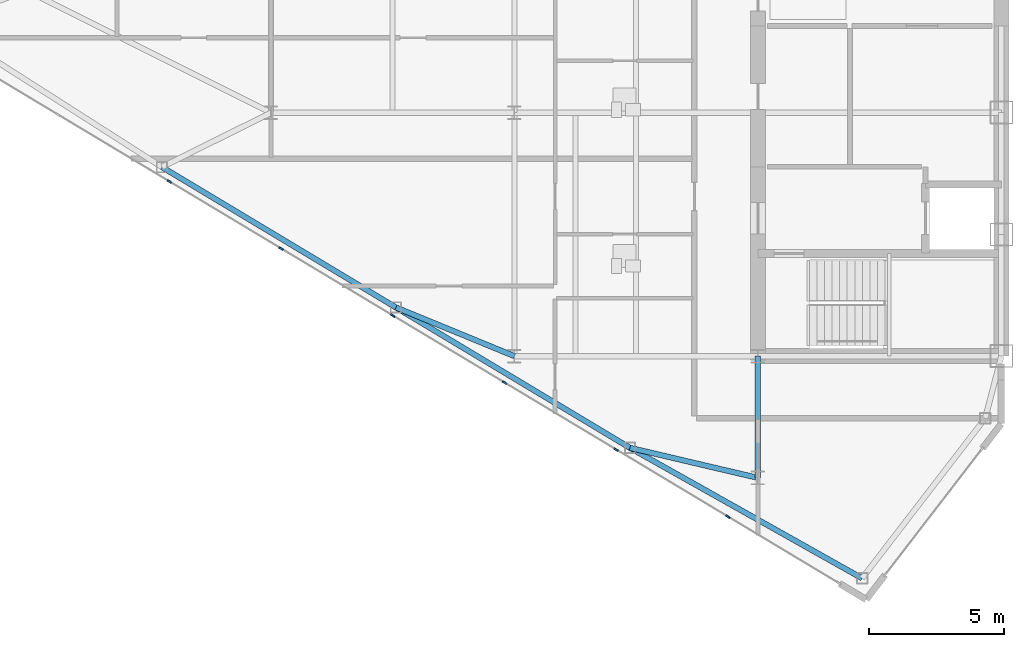
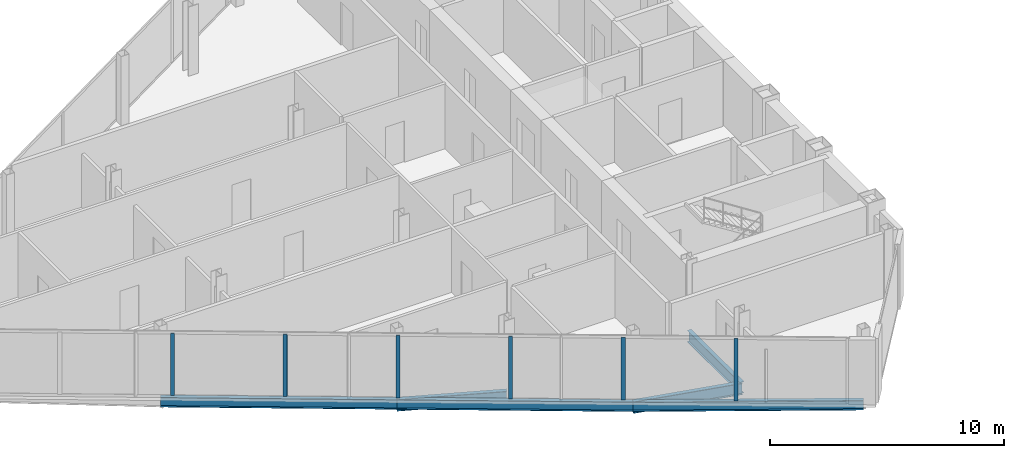
# One storey, part 5 of 26: 6 beams, 6 members, 1 element without a shape of its own.
"""IFC4 building model written with IfcOpenShell, lengths in metres."""

import ifcopenshell
import ifcopenshell.guid

model = None  # the IFC model being written
_history = None  # IfcOwnerHistory: only IFC2X3 demands one
_inside = {}  # id of a spatial element -> (the spatial element, [elements in it])
_under = {}  # id of a project, library or spatial element -> (it, [spatial elements below it])
_declared = {}  # id of a project -> (the project, [libraries it declares])
_typed = {}  # id of a type object -> (the type object, [elements of that type])
_made_of = {}  # id of a material, layer set ... -> (it, [elements and type objects made of it])


def new_model(schema):
    """Start an empty IFC model of exactly this schema.

    Asked for "IFC4X3", IfcOpenShell would pick the latest addendum, in which some entities
    have other attributes; the version numbers below select the first issue.
    IFC2X3 requires an IfcOwnerHistory on every rooted entity: one is made here for all.
    """
    global model, _history
    if schema == "IFC4X3":
        model = ifcopenshell.file(schema_version=(4, 3, 0, 0))
    else:
        model = ifcopenshell.file(schema=schema)
    _inside.clear()
    _under.clear()
    _declared.clear()
    _typed.clear()
    _made_of.clear()
    _history = None
    if model.schema == "IFC2X3":
        org = make("IfcOrganization", Name="unknown")
        user = make(
            "IfcPersonAndOrganization",
            ThePerson=make("IfcPerson", FamilyName="unknown"),
            TheOrganization=org,
        )
        app = make(
            "IfcApplication",
            ApplicationDeveloper=org,
            Version="unknown",
            ApplicationFullName="unknown",
            ApplicationIdentifier="unknown",
        )
        _history = make(
            "IfcOwnerHistory",
            OwningUser=user,
            OwningApplication=app,
            ChangeAction="ADDED",
            CreationDate=0,
        )
    return model


def make(cls, **values):
    """One entity of the class cls with the attributes given. An attribute that is None is left unset."""
    return model.create_entity(
        cls, **{name: value for name, value in values.items() if value is not None}
    )


def rooted(cls, **values):
    """An entity with a GlobalId (a new one), such as an element, a storey or a relation."""
    return make(cls, GlobalId=ifcopenshell.guid.new(), OwnerHistory=_history, **values)


def si_unit(unit_type, name, prefix=None):
    """IfcSIUnit, for example si_unit("LENGTHUNIT", "METRE", prefix="MILLI")."""
    return make("IfcSIUnit", UnitType=unit_type, Prefix=prefix, Name=name)


def assignment(units):
    """IfcUnitAssignment: the units of a project."""
    return None if units is None else make("IfcUnitAssignment", Units=units)


def point(xyz):
    """IfcCartesianPoint."""
    return None if xyz is None else make("IfcCartesianPoint", Coordinates=xyz)


def direction(xyz):
    """IfcDirection."""
    return None if xyz is None else make("IfcDirection", DirectionRatios=xyz)


def frame(location, z_axis=None, x_axis=None):
    """IfcAxis2Placement3D, a coordinate frame: its origin and axes. An axis left out is left unset."""
    return make(
        "IfcAxis2Placement3D",
        Location=point(location),
        Axis=direction(z_axis),
        RefDirection=direction(x_axis),
    )


def frame_2d(location, x_axis=None):
    """IfcAxis2Placement2D, a coordinate frame in the plane: its origin and x axis."""
    return make(
        "IfcAxis2Placement2D", Location=point(location), RefDirection=direction(x_axis)
    )


def origin():
    """The frame at (0, 0, 0) with its axes left unset."""
    return frame((0.0, 0.0, 0.0))


def origin_2d():
    """The frame at (0, 0) in the plane with its x axis left unset."""
    return frame_2d((0.0, 0.0))


def place(relative_to, where):
    """IfcLocalPlacement: puts the frame where relative to a parent placement (None: the world)."""
    return make(
        "IfcLocalPlacement", PlacementRelTo=relative_to, RelativePlacement=where
    )


def context(
    kind, dimensions, precision=None, world=None, true_north=None, identifier=None
):
    """IfcGeometricRepresentationContext, for example the 3D "Model" context."""
    return make(
        "IfcGeometricRepresentationContext",
        ContextIdentifier=identifier,
        ContextType=kind,
        CoordinateSpaceDimension=dimensions,
        Precision=precision,
        WorldCoordinateSystem=world,
        TrueNorth=true_north,
    )


def subcontext(parent, identifier, kind, view, scale=None):
    """IfcGeometricRepresentationSubContext, for example "Body" below "Model"."""
    return make(
        "IfcGeometricRepresentationSubContext",
        ContextIdentifier=identifier,
        ContextType=kind,
        ParentContext=parent,
        TargetScale=scale,
        TargetView=view,
    )


def project(units=None, contexts=None):
    """IfcProject with its units and contexts."""
    return rooted(
        "IfcProject",
        Name="project",
        RepresentationContexts=contexts,
        UnitsInContext=assignment(units),
    )


def spatial(cls, under=None, at=None, **own):
    """A site, building, storey or space (cls), placed at a placement, below another one or the project."""
    s = rooted(cls, ObjectPlacement=at, **own)
    if under is not None:
        _under.setdefault(under.id(), (under, []))[1].append(s)
    return s


def profile(cls, at=None, kind="AREA", **sizes):
    """A parametric profile (cls). Its sizes go by their IFC names, for example OverallWidth=200.0."""
    return make(cls, ProfileType=kind, Position=at, **sizes)


def rectangle(**sizes):
    """IfcRectangleProfileDef."""
    return profile("IfcRectangleProfileDef", **sizes)


def i_section(**sizes):
    """IfcIShapeProfileDef."""
    return profile("IfcIShapeProfileDef", **sizes)


def extrude(swept, where, along, depth):
    """IfcExtrudedAreaSolid: the profile swept, set in the frame where, extruded along a direction by depth."""
    return make(
        "IfcExtrudedAreaSolid",
        SweptArea=swept,
        Position=where,
        ExtrudedDirection=direction(along),
        Depth=depth,
    )


def shape(context_of_items, identifier, shape_type, items):
    """IfcShapeRepresentation: the items that make up one representation, for example the "Body"."""
    return make(
        "IfcShapeRepresentation",
        ContextOfItems=context_of_items,
        RepresentationIdentifier=identifier,
        RepresentationType=shape_type,
        Items=items,
    )


def source(mapping_origin, context_of_items, identifier, shape_type, items):
    """IfcRepresentationMap: a shape defined once, which mapped items show again and again."""
    return make(
        "IfcRepresentationMap",
        MappingOrigin=mapping_origin,
        MappedRepresentation=shape(context_of_items, identifier, shape_type, items),
    )


def transform(
    local_origin,
    x_axis=None,
    y_axis=None,
    z_axis=None,
    scale=None,
    scale2=None,
    scale3=None,
    uniform=True,
):
    """IfcCartesianTransformationOperator3D, or its non-uniform kind. x_axis, y_axis, z_axis: its Axis1, 2, 3."""
    if uniform:
        return make(
            "IfcCartesianTransformationOperator3D",
            Axis1=direction(x_axis),
            Axis2=direction(y_axis),
            LocalOrigin=point(local_origin),
            Scale=scale,
            Axis3=direction(z_axis),
        )
    return make(
        "IfcCartesianTransformationOperator3DnonUniform",
        Axis1=direction(x_axis),
        Axis2=direction(y_axis),
        LocalOrigin=point(local_origin),
        Scale=scale,
        Axis3=direction(z_axis),
        Scale2=scale2,
        Scale3=scale3,
    )


def mapped(mapping_source, mapping_target):
    """IfcMappedItem: shows the shape of a source again, moved by a transform."""
    return make(
        "IfcMappedItem", MappingSource=mapping_source, MappingTarget=mapping_target
    )


def material(Name=None, Category=None):
    """IfcMaterial."""
    return make("IfcMaterial", Name=Name, Category=Category)


def layer(
    of_material, thickness, ventilated=None, Name=None, Category=None, Priority=None
):
    """IfcMaterialLayer: one layer of a wall or slab, of a material (None: an air gap)."""
    return make(
        "IfcMaterialLayer",
        Material=of_material,
        LayerThickness=thickness,
        IsVentilated=ventilated,
        Name=Name,
        Category=Category,
        Priority=Priority,
    )


def layer_set(layers, Name=None):
    """IfcMaterialLayerSet."""
    return make("IfcMaterialLayerSet", MaterialLayers=layers, LayerSetName=Name)


def material_profile(
    of_material, cross_section, Name=None, Category=None, Priority=None
):
    """IfcMaterialProfile: a cross section and its material."""
    return make(
        "IfcMaterialProfile",
        Name=Name,
        Material=of_material,
        Profile=cross_section,
        Priority=Priority,
        Category=Category,
    )


def profile_set(profiles, Name=None, composite=None):
    """IfcMaterialProfileSet."""
    return make(
        "IfcMaterialProfileSet",
        Name=Name,
        MaterialProfiles=profiles,
        CompositeProfile=composite,
    )


def made_of(thing, what):
    """Note that an element or type object is made of a material, layer set ...; save() writes the relation."""
    if what is not None:
        _made_of.setdefault(what.id(), (what, []))[1].append(thing)
    return thing


def type_object(cls, material=None, **own):
    """A type object (cls), such as IfcWallType, which elements share."""
    return made_of(rooted(cls, **own), material)


def type_shapes(of_type, sources):
    """Give a type object the sources (RepresentationMaps) that its elements show as mapped items."""
    of_type.RepresentationMaps = sources


def element(
    cls,
    number,
    at=None,
    inside=None,
    cuts=None,
    type_object=None,
    material=None,
    context=None,
    identifier="Body",
    shape_type=None,
    held_by="IfcProductDefinitionShape",
    body=None,
    shapes=None,
    **own,
):
    """One element of the class cls, such as IfcWall. Its Tag is "e" and its number.

    at: its placement. inside: the storey or other place that contains it. cuts: it is an
    opening in that element (IfcRelVoidsElement). A single representation is given by context,
    identifier, shape_type and body (its items); several are given by shapes. held_by: the class
    of the entity that holds the representations. save() writes the other relations.
    """
    e = rooted(cls, Tag="e%d" % number, ObjectPlacement=at, **own)
    if body is not None:
        shapes = [shape(context, identifier, shape_type, body)]
    if shapes is not None:
        e.Representation = make(held_by, Representations=shapes)
    if inside is not None:
        _inside.setdefault(inside.id(), (inside, []))[1].append(e)
    if cuts is not None:
        rooted(
            "IfcRelVoidsElement", RelatingBuildingElement=cuts, RelatedOpeningElement=e
        )
    if type_object is not None:
        _typed.setdefault(type_object.id(), (type_object, []))[1].append(e)
    return made_of(e, material)


def aggregate(whole, parts):
    """IfcRelAggregates: a whole, such as a stair, and the parts it consists of."""
    return rooted("IfcRelAggregates", RelatingObject=whole, RelatedObjects=parts)


def save(model, path):
    """Write the relations noted so far, then the file.

    IfcRelAggregates (storeys below a building ...), IfcRelContainedInSpatialStructure (elements
    in a storey), IfcRelDefinesByType, IfcRelAssociatesMaterial and IfcRelDeclares: one each for
    every whole, place, type object, material and project.
    """
    for whole, parts in _under.values():
        aggregate(whole, parts)
    for where, things in _inside.values():
        rooted(
            "IfcRelContainedInSpatialStructure",
            RelatedElements=things,
            RelatingStructure=where,
        )
    for kind, things in _typed.values():
        rooted("IfcRelDefinesByType", RelatedObjects=things, RelatingType=kind)
    for what, things in _made_of.values():
        rooted("IfcRelAssociatesMaterial", RelatedObjects=things, RelatingMaterial=what)
    for by, libraries in _declared.values():
        rooted("IfcRelDeclares", RelatingContext=by, RelatedDefinitions=libraries)
    model.write(path)


model = new_model("IFC4")

# Units and contexts
model_context = context("Model", 3, precision=1e-05, world=origin(), true_north=direction((0.0, 1.0)))
body_context = subcontext(model_context, "Body", "Model", "MODEL_VIEW")
ifc_project = project(units=[si_unit("LENGTHUNIT", "METRE"), si_unit("AREAUNIT", "SQUARE_METRE"), si_unit("VOLUMEUNIT", "CUBIC_METRE"), si_unit("PLANEANGLEUNIT", "RADIAN"), si_unit("MASSUNIT", "GRAM", prefix="KILO")], contexts=[model_context])

# Site, building, storey
site_placement = place(None, origin())
site = spatial("IfcSite", under=ifc_project, at=site_placement, CompositionType="ELEMENT")
building_placement = place(site_placement, origin())
building = spatial("IfcBuilding", under=site, at=building_placement, Name="Seokmaru Belvedere", CompositionType="ELEMENT")
storey_placement = place(building_placement, frame((0.0, 0.0, 199.5)))
storey = spatial("IfcBuildingStorey", under=building, at=storey_placement, Name="L53", CompositionType="ELEMENT", Elevation=199.5)

# Beams
ifc_material_1 = material(Name="Steel SM355 (355 MPa)", Category="steel")
ifc_material_profile_1 = material_profile(ifc_material_1, i_section(OverallWidth=0.199951171875, OverallDepth=0.60009765625, WebThickness=0.010986328125, FlangeThickness=0.01708984375, at=origin_2d()), Name="H-600x200x11x17")
ifc_profile_set_1 = profile_set([ifc_material_profile_1], Name="Steel SM355 (355 MPa)")
beam_type_1 = type_object("IfcBeamType", Name="Primary Floor Girder H-600", PredefinedType="BEAM", material=ifc_profile_set_1)
shared_shape_1 = source(origin(), body_context, "Body", "SweptSolid", [
    extrude(i_section(OverallWidth=0.199951171875, OverallDepth=0.60009765625, WebThickness=0.010986328125, FlangeThickness=0.01708984375, at=origin_2d()), origin(), (0.0, 0.0, 1.0), 4.5),
])
beam_1_placement = place(storey_placement, frame((-36.5, -18.0, -0.52001953125), z_axis=(0.0, 1.0, 0.0), x_axis=(-1.0, 0.0, 0.0)))
element("IfcBeam", 1, at=beam_1_placement, inside=storey, type_object=beam_type_1, Name="L53 W Core Shoulder Girder S", PredefinedType="BEAM", context=body_context, shape_type="MappedRepresentation", body=[
    mapped(shared_shape_1, transform((0.0, 0.0, 0.0), scale=1.0)),
])
ifc_material_profile_2 = material_profile(ifc_material_1, i_section(OverallWidth=0.199951171875, OverallDepth=0.5, WebThickness=0.010009765625, FlangeThickness=0.01611328125, at=origin_2d()), Name="H-500x200x10x16")
ifc_profile_set_2 = profile_set([ifc_material_profile_2], Name="Steel SM355 (355 MPa)")
beam_type_2 = type_object("IfcBeamType", Name="Perimeter Spandrel Beam H-500", PredefinedType="SPANDREL", material=ifc_profile_set_2)
shared_shape_2 = source(origin(), body_context, "Body", "SweptSolid", [
    extrude(i_section(OverallWidth=0.199951171875, OverallDepth=0.5, WebThickness=0.010009765625, FlangeThickness=0.01611328125, at=origin_2d()), origin(), (0.0, 0.0, 1.0), 9.842041015625),
])
beam_2_placement = place(storey_placement, frame((-32.649658203125, -21.71044921875, -0.469970703125), z_axis=(-0.871782151818, 0.489893743349, 0.0), x_axis=(-0.489893743349, -0.871782151818, 0.0)))
element("IfcBeam", 2, at=beam_2_placement, inside=storey, type_object=beam_type_2, Name="L53 W Faceted Flank Spandrel S-1", PredefinedType="SPANDREL", context=body_context, shape_type="MappedRepresentation", body=[
    mapped(shared_shape_2, transform((0.0, 0.0, 0.0), scale=1.0)),
])
shared_shape_3 = source(origin(), body_context, "Body", "SweptSolid", [
    extrude(i_section(OverallWidth=0.199951171875, OverallDepth=0.5, WebThickness=0.010009765625, FlangeThickness=0.01611328125, at=origin_2d()), origin(), (0.0, 0.0, 1.0), 10.087646484375),
])
type_shapes(beam_type_2, [shared_shape_2, shared_shape_3])
for number, where, z_axis, x_axis, name in (
    (3, (-41.229736328125, -16.888916015625, -0.469970703125), (-0.857499332045, 0.514485078056, 0.0), (-0.514485078056, -0.857499332045, 0.0), "L53 W Faceted Flank Spandrel S-2"),
    (4, (-49.8798828125, -11.698974609375, -0.469970703125), (-0.857488654804, 0.514502873542, 0.0), (-0.514502873542, -0.857488654804, 0.0), "L53 W Faceted Flank Spandrel S-3"),
):
    element("IfcBeam", number, at=place(storey_placement, frame(where, z_axis=z_axis, x_axis=x_axis)), inside=storey, type_object=beam_type_2, Name=name, PredefinedType="SPANDREL", context=body_context, shape_type="MappedRepresentation", body=[
        mapped(shared_shape_3, transform((0.0, 0.0, 0.0), scale=1.0)),
    ])
shared_shape_4 = source(origin(), body_context, "Body", "SweptSolid", [
    extrude(i_section(OverallWidth=0.199951171875, OverallDepth=0.60009765625, WebThickness=0.010986328125, FlangeThickness=0.01708984375, at=origin_2d()), origin(), (0.0, 0.0, 1.0), 4.8583984375),
])
beam_3_placement = place(storey_placement, frame((-41.229736328125, -16.888916015625, -0.52001953125), z_axis=(0.97349948295, -0.228689214211, 0.0), x_axis=(0.228689214211, 0.97349948295, 0.0)))
element("IfcBeam", 5, at=beam_3_placement, inside=storey, type_object=beam_type_1, Name="L53 W Flank Radial Floor Girder S-1", PredefinedType="BEAM", context=body_context, shape_type="MappedRepresentation", body=[
    mapped(shared_shape_4, transform((0.0, 0.0, 0.0), scale=1.0)),
])
shared_shape_5 = source(origin(), body_context, "Body", "SweptSolid", [
    extrude(i_section(OverallWidth=0.199951171875, OverallDepth=0.60009765625, WebThickness=0.010986328125, FlangeThickness=0.01708984375, at=origin_2d()), origin(), (0.0, 0.0, 1.0), 4.73583984375),
])
type_shapes(beam_type_1, [shared_shape_1, shared_shape_4, shared_shape_5])
beam_4_placement = place(storey_placement, frame((-49.8798828125, -11.698974609375, -0.52001953125), z_axis=(0.924860562953, -0.380306375301, 0.0), x_axis=(0.380306375301, 0.924860562953, 0.0)))
element("IfcBeam", 6, at=beam_4_placement, inside=storey, type_object=beam_type_1, Name="L53 W Flank Radial Floor Girder S-2", PredefinedType="BEAM", context=body_context, shape_type="MappedRepresentation", body=[
    mapped(shared_shape_5, transform((0.0, 0.0, 0.0), scale=1.0)),
])

# Curtain wall, members
ifc_material_2 = material(Name="Bronze Triple Insulating Glass", Category="glass")
ifc_layer = layer(ifc_material_2, 0.179931640625)
ifc_layer_set = layer_set([ifc_layer], Name="Bronze Triple Insulating Glass")
curtain_wall_type = type_object("IfcCurtainWallType", Name="High-Rise Wind-Corner Curtain Wall System CW-5", PredefinedType="NOTDEFINED", material=ifc_layer_set)
curtain_wall_placement = place(storey_placement, origin())
curtain_wall = element("IfcCurtainWall", 7, at=curtain_wall_placement, inside=storey, type_object=curtain_wall_type, Name="L53 Curtain Wall WF5", PredefinedType="NOTDEFINED")
ifc_material_3 = material(Name="Anodised Bronze Aluminium", Category="aluminium")
ifc_material_profile_3 = material_profile(ifc_material_3, rectangle(XDim=0.06494140625, YDim=0.179931640625, at=origin_2d()), Name="CW-M-65x180")
ifc_profile_set_3 = profile_set([ifc_material_profile_3], Name="Anodised Bronze Aluminium")
member_type = type_object("IfcMemberType", Name="Bronze Unitised Mullion 65x180", PredefinedType="MULLION", material=ifc_profile_set_3)
shared_shape_6 = source(origin(), body_context, "Body", "SweptSolid", [
    extrude(rectangle(XDim=0.06494140625, YDim=0.179931640625, at=origin_2d()), origin(), (0.0, 0.0, 1.0), 3.25),
])
type_shapes(member_type, [shared_shape_6])
member_1_placement = place(storey_placement, frame((-58.257080078125, -7.0458984375, 0.06494140625), z_axis=(0.0, 0.0, 1.0), x_axis=(0.514494909364, 0.85749343335, 0.0)))
member_1 = element("IfcMember", 8, at=member_1_placement, type_object=member_type, Name="CW:L53:WF5 Mullion 3", PredefinedType="MULLION", context=body_context, shape_type="MappedRepresentation", body=[
    mapped(shared_shape_6, transform((0.0, 0.0, 0.0), scale=1.0)),
])
member_2_placement = place(storey_placement, frame((-54.12841796875, -9.52294921875, 0.06494140625), z_axis=(0.0, 0.0, 1.0), x_axis=(0.514494909364, 0.85749343335, 0.0)))
member_2 = element("IfcMember", 9, at=member_2_placement, type_object=member_type, Name="CW:L53:WF5 Mullion 4", PredefinedType="MULLION", context=body_context, shape_type="MappedRepresentation", body=[
    mapped(shared_shape_6, transform((0.0, 0.0, 0.0), scale=1.0)),
])
member_3_placement = place(storey_placement, frame((-50.0, -12.0, 0.06494140625), z_axis=(0.0, 0.0, 1.0), x_axis=(0.514494909364, 0.85749343335, 0.0)))
member_3 = element("IfcMember", 10, at=member_3_placement, type_object=member_type, Name="CW:L53:WF5 Mullion 5", PredefinedType="MULLION", context=body_context, shape_type="MappedRepresentation", body=[
    mapped(shared_shape_6, transform((0.0, 0.0, 0.0), scale=1.0)),
])
member_4_placement = place(storey_placement, frame((-45.87158203125, -14.47705078125, 0.06494140625), z_axis=(0.0, 0.0, 1.0), x_axis=(0.514494909364, 0.85749343335, 0.0)))
member_4 = element("IfcMember", 11, at=member_4_placement, type_object=member_type, Name="CW:L53:WF5 Mullion 6", PredefinedType="MULLION", context=body_context, shape_type="MappedRepresentation", body=[
    mapped(shared_shape_6, transform((0.0, 0.0, 0.0), scale=1.0)),
])
member_5_placement = place(storey_placement, frame((-41.742919921875, -16.9541015625, 0.06494140625), z_axis=(0.0, 0.0, 1.0), x_axis=(0.514494909364, 0.85749343335, 0.0)))
member_5 = element("IfcMember", 12, at=member_5_placement, type_object=member_type, Name="CW:L53:WF5 Mullion 7", PredefinedType="MULLION", context=body_context, shape_type="MappedRepresentation", body=[
    mapped(shared_shape_6, transform((0.0, 0.0, 0.0), scale=1.0)),
])
member_6_placement = place(storey_placement, frame((-37.614501953125, -19.43115234375, 0.06494140625), z_axis=(0.0, 0.0, 1.0), x_axis=(0.514494909364, 0.85749343335, 0.0)))
member_6 = element("IfcMember", 13, at=member_6_placement, type_object=member_type, Name="CW:L53:WF5 Mullion 8", PredefinedType="MULLION", context=body_context, shape_type="MappedRepresentation", body=[
    mapped(shared_shape_6, transform((0.0, 0.0, 0.0), scale=1.0)),
])
aggregate(curtain_wall, [member_1, member_2, member_3, member_4, member_5, member_6])

save(model, "model.ifc")
